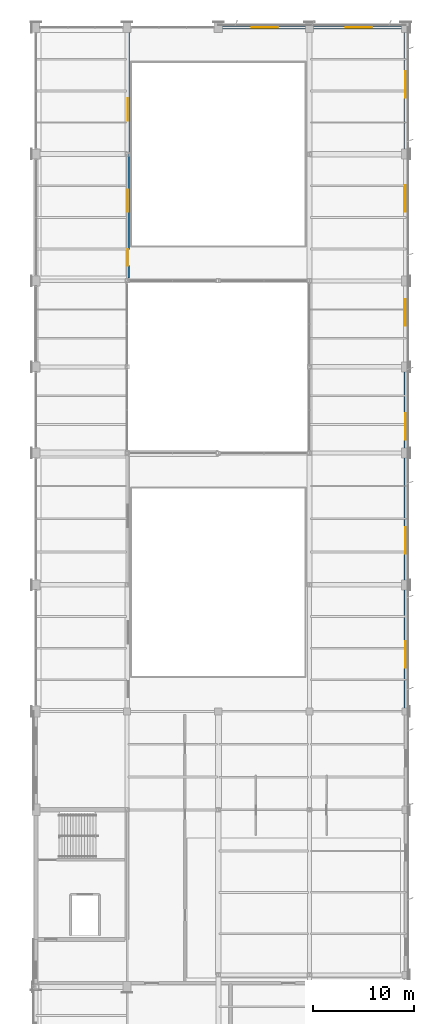
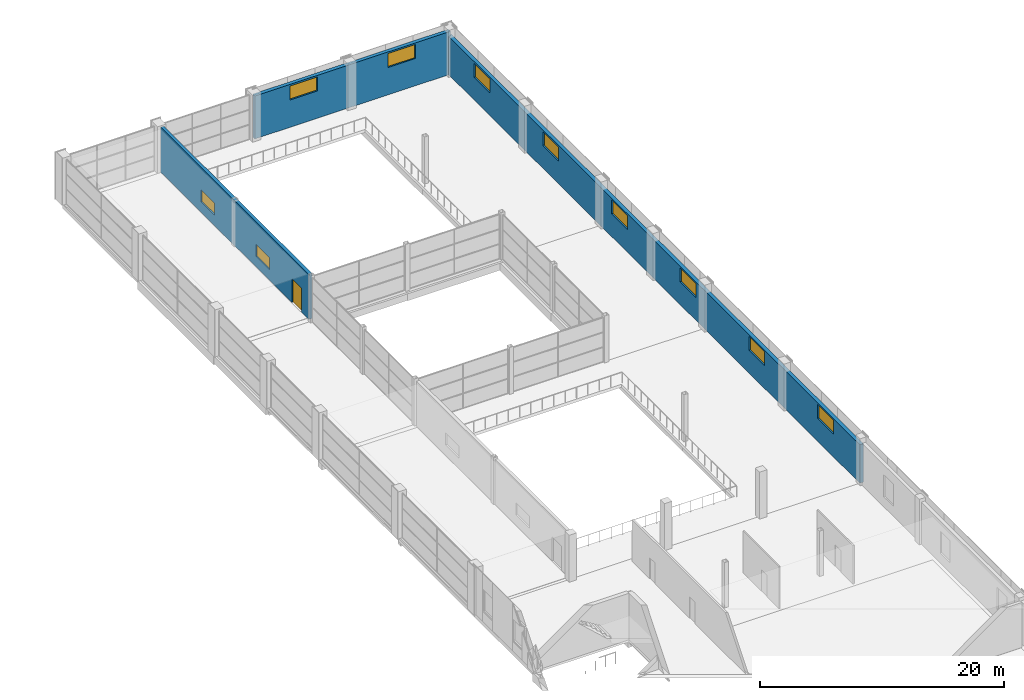
# One storey, part 95 of 112: 10 windows, 3 walls, 1 door, 11 openings.
"""IFC4 building model written with IfcOpenShell, lengths in metres."""

from ifc_helpers import new_model, si_unit, direction, frame, frame_2d, origin, place, context, subcontext, project, spatial, rectangle, extrude, material, layer, layer_set, type_object, element, fill, save


model = new_model("IFC4")

# Units and contexts
model_context = context("Model", 3, precision=1e-05, world=origin(), true_north=direction((0.0, 1.0)))
body_context = subcontext(model_context, "Body", "Model", "MODEL_VIEW")
ifc_project = project(units=[si_unit("LENGTHUNIT", "METRE"), si_unit("AREAUNIT", "SQUARE_METRE"), si_unit("VOLUMEUNIT", "CUBIC_METRE"), si_unit("PLANEANGLEUNIT", "RADIAN"), si_unit("MASSUNIT", "GRAM", prefix="KILO")], contexts=[model_context])

# Site, building, storey
site_placement = place(None, origin())
site = spatial("IfcSite", under=ifc_project, at=site_placement, CompositionType="ELEMENT")
building_placement = place(site_placement, origin())
building = spatial("IfcBuilding", under=site, at=building_placement, Name="Solvikara Media Centre", CompositionType="ELEMENT")
storey_placement = place(building_placement, frame((0.0, 0.0, 5.39990234375)))
storey = spatial("IfcBuildingStorey", under=building, at=storey_placement, Name="L01", CompositionType="ELEMENT", Elevation=5.39990234375)

# Wall, openings, door, windows
ifc_material_1 = material(Name="Concrete fc' 45 MPa (C45/55)", Category="concrete")
ifc_layer_1 = layer(ifc_material_1, 0.300048828125)
ifc_layer_set_1 = layer_set([ifc_layer_1], Name="Concrete fc' 45 MPa (C45/55)")
wall_type_1 = type_object("IfcWallType", Name="WT-05", PredefinedType="STANDARD", material=ifc_layer_set_1)
wall_1_placement = place(storey_placement, frame((136.60009765625, 89.300048828125, 0.0), z_axis=(0.0, 0.0, 1.0), x_axis=(0.0, 1.0, 0.0)))
wall_1 = element("IfcWall", 1, at=wall_1_placement, inside=storey, type_object=wall_type_1, Name="PW-L01-055", PredefinedType="STANDARD", context=body_context, shape_type="SweptSolid", body=[
    extrude(rectangle(XDim=24.300048828125, YDim=0.300048828125, at=frame_2d((12.14990234375, 0.0))), origin(), (0.0, 0.0, 1.0), 4.5),
])
opening_1_placement = place(wall_1_placement, frame((1.199951171875, 0.0, 0.0)))
opening_1 = element("IfcOpeningElement", 2, at=opening_1_placement, cuts=wall_1, Name="Opening D-L01-055-1", PredefinedType="OPENING", context=body_context, shape_type="SweptSolid", body=[
    extrude(rectangle(XDim=1.60009765625, YDim=2.39990234375, at=frame_2d((0.800048828125, 1.199951171875))), frame((0.0, 0.162109375, 0.0), z_axis=(0.0, -1.0, 0.0), x_axis=(1.0, 0.0, 0.0)), (0.0, 0.0, 1.0), 0.323974609375),
])
opening_2_placement = place(wall_1_placement, frame((6.5, 0.0, 1.050048828125)))
opening_2 = element("IfcOpeningElement", 3, at=opening_2_placement, cuts=wall_1, Name="Opening WI-L01-055-1", PredefinedType="OPENING", context=body_context, shape_type="SweptSolid", body=[
    extrude(rectangle(XDim=2.199951171875, YDim=1.199951171875, at=frame_2d((1.10009765625, 0.60009765625))), frame((0.0, 0.162109375, 0.0), z_axis=(0.0, -1.0, 0.0), x_axis=(1.0, 0.0, 0.0)), (0.0, 0.0, 1.0), 0.323974609375),
])
opening_3_placement = place(wall_1_placement, frame((15.5, 0.0, 1.050048828125)))
opening_3 = element("IfcOpeningElement", 4, at=opening_3_placement, cuts=wall_1, Name="Opening WI-L01-055-2", PredefinedType="OPENING", context=body_context, shape_type="SweptSolid", body=[
    extrude(rectangle(XDim=2.199951171875, YDim=1.199951171875, at=frame_2d((1.10009765625, 0.60009765625))), frame((0.0, 0.162109375, 0.0), z_axis=(0.0, -1.0, 0.0), x_axis=(1.0, 0.0, 0.0)), (0.0, 0.0, 1.0), 0.323974609375),
])
ifc_material_2 = material(Name="Solid core acoustic hardwood timber", Category="wood")
door_type = type_object("IfcDoorType", Name="DT-13", OperationType="DOUBLE_DOOR_SINGLE_SWING", PredefinedType="DOOR", material=ifc_material_2)
door_placement = place(opening_1_placement, origin())
door = element("IfcDoor", 5, at=door_placement, inside=storey, type_object=door_type, Name="D-L01-055-1", OperationType="DOUBLE_DOOR_SINGLE_SWING", OverallHeight=2.39990234375, OverallWidth=1.60009765625, PredefinedType="DOOR", context=body_context, shape_type="SweptSolid", body=[
    extrude(rectangle(XDim=1.60009765625, YDim=2.39990234375, at=frame_2d((0.800048828125, 1.199951171875))), frame((0.0, 0.02490234375, 0.0), z_axis=(0.0, -1.0, 0.0), x_axis=(1.0, 0.0, 0.0)), (0.0, 0.0, 1.0), 0.050048828125),
])
fill(opening_1, door)
ifc_material_3 = material(Name="Double-glazed low-E architectural glass", Category="glass")
window_type_1 = type_object("IfcWindowType", Name="WN-13", PartitioningType="SINGLE_PANEL", PredefinedType="WINDOW", material=ifc_material_3)
window_1_placement = place(opening_2_placement, origin())
window_1 = element("IfcWindow", 6, at=window_1_placement, inside=storey, type_object=window_type_1, Name="WI-L01-055-1", OverallHeight=1.199951171875, OverallWidth=2.199951171875, PartitioningType="SINGLE_PANEL", PredefinedType="WINDOW", context=body_context, shape_type="SweptSolid", body=[
    extrude(rectangle(XDim=2.199951171875, YDim=1.199951171875, at=frame_2d((1.10009765625, 0.60009765625))), frame((0.0, 0.030029296875, 0.0), z_axis=(0.0, -1.0, 0.0), x_axis=(1.0, 0.0, 0.0)), (0.0, 0.0, 1.0), 0.06005859375),
])
fill(opening_2, window_1)
window_2_placement = place(opening_3_placement, origin())
window_2 = element("IfcWindow", 7, at=window_2_placement, inside=storey, type_object=window_type_1, Name="WI-L01-055-2", OverallHeight=1.199951171875, OverallWidth=2.199951171875, PartitioningType="SINGLE_PANEL", PredefinedType="WINDOW", context=body_context, shape_type="SweptSolid", body=[
    extrude(rectangle(XDim=2.199951171875, YDim=1.199951171875, at=frame_2d((1.10009765625, 0.60009765625))), frame((0.0, 0.030029296875, 0.0), z_axis=(0.0, -1.0, 0.0), x_axis=(1.0, 0.0, 0.0)), (0.0, 0.0, 1.0), 0.06005859375),
])
fill(opening_3, window_2)

# Wall, openings, windows
ifc_material_4 = material(Name="Precast concrete fc' 40 MPa (C40/50)", Category="concrete")
ifc_layer_2 = layer(ifc_material_4, 0.340087890625)
ifc_layer_set_2 = layer_set([ifc_layer_2], Name="Precast concrete fc' 40 MPa (C40/50)")
wall_type_2 = type_object("IfcWallType", Name="WT-09", PredefinedType="STANDARD", material=ifc_layer_set_2)
wall_2_placement = place(storey_placement, frame((164.0, 46.5, 0.0), z_axis=(0.0, 0.0, 1.0), x_axis=(0.0, 1.0, 0.0)))
wall_2 = element("IfcWall", 8, at=wall_2_placement, inside=storey, type_object=wall_type_2, Name="EW-L01-V2-E", PredefinedType="STANDARD", context=body_context, shape_type="SweptSolid", body=[
    extrude(rectangle(XDim=67.5, YDim=0.340087890625, at=frame_2d((33.75, 0.0))), origin(), (0.0, 0.0, 1.0), 3.840087890625),
])
opening_4_placement = place(wall_2_placement, frame((4.324951171875, 0.0, 2.280029296875)))
opening_4 = element("IfcOpeningElement", 9, at=opening_4_placement, cuts=wall_2, Name="Opening W-L01-V2E-W01", PredefinedType="OPENING", context=body_context, shape_type="SweptSolid", body=[
    extrude(rectangle(XDim=2.60009765625, YDim=1.39990234375, at=frame_2d((1.300048828125, 0.699951171875))), frame((0.0, 0.18212890625, 0.0), z_axis=(0.0, -1.0, 0.0), x_axis=(1.0, 0.0, 0.0)), (0.0, 0.0, 1.0), 0.364013671875),
])
opening_5_placement = place(wall_2_placement, frame((15.574951171875, 0.0, 2.280029296875)))
opening_5 = element("IfcOpeningElement", 10, at=opening_5_placement, cuts=wall_2, Name="Opening W-L01-V2E-W02", PredefinedType="OPENING", context=body_context, shape_type="SweptSolid", body=[
    extrude(rectangle(XDim=2.60009765625, YDim=1.39990234375, at=frame_2d((1.300048828125, 0.699951171875))), frame((0.0, 0.18212890625, 0.0), z_axis=(0.0, -1.0, 0.0), x_axis=(1.0, 0.0, 0.0)), (0.0, 0.0, 1.0), 0.364013671875),
])
opening_6_placement = place(wall_2_placement, frame((26.824951171875, 0.0, 2.280029296875)))
opening_6 = element("IfcOpeningElement", 11, at=opening_6_placement, cuts=wall_2, Name="Opening W-L01-V2E-W03", PredefinedType="OPENING", context=body_context, shape_type="SweptSolid", body=[
    extrude(rectangle(XDim=2.60009765625, YDim=1.39990234375, at=frame_2d((1.300048828125, 0.699951171875))), frame((0.0, 0.18212890625, 0.0), z_axis=(0.0, -1.0, 0.0), x_axis=(1.0, 0.0, 0.0)), (0.0, 0.0, 1.0), 0.364013671875),
])
opening_7_placement = place(wall_2_placement, frame((38.074951171875, 0.0, 2.280029296875)))
opening_7 = element("IfcOpeningElement", 12, at=opening_7_placement, cuts=wall_2, Name="Opening W-L01-V2E-W04", PredefinedType="OPENING", context=body_context, shape_type="SweptSolid", body=[
    extrude(rectangle(XDim=2.60009765625, YDim=1.39990234375, at=frame_2d((1.300048828125, 0.699951171875))), frame((0.0, 0.18212890625, 0.0), z_axis=(0.0, -1.0, 0.0), x_axis=(1.0, 0.0, 0.0)), (0.0, 0.0, 1.0), 0.364013671875),
])
opening_8_placement = place(wall_2_placement, frame((49.324951171875, 0.0, 2.280029296875)))
opening_8 = element("IfcOpeningElement", 13, at=opening_8_placement, cuts=wall_2, Name="Opening W-L01-V2E-W05", PredefinedType="OPENING", context=body_context, shape_type="SweptSolid", body=[
    extrude(rectangle(XDim=2.60009765625, YDim=1.39990234375, at=frame_2d((1.300048828125, 0.699951171875))), frame((0.0, 0.18212890625, 0.0), z_axis=(0.0, -1.0, 0.0), x_axis=(1.0, 0.0, 0.0)), (0.0, 0.0, 1.0), 0.364013671875),
])
opening_9_placement = place(wall_2_placement, frame((60.574951171875, 0.0, 2.280029296875)))
opening_9 = element("IfcOpeningElement", 14, at=opening_9_placement, cuts=wall_2, Name="Opening W-L01-V2E-W06", PredefinedType="OPENING", context=body_context, shape_type="SweptSolid", body=[
    extrude(rectangle(XDim=2.60009765625, YDim=1.39990234375, at=frame_2d((1.300048828125, 0.699951171875))), frame((0.0, 0.18212890625, 0.0), z_axis=(0.0, -1.0, 0.0), x_axis=(1.0, 0.0, 0.0)), (0.0, 0.0, 1.0), 0.364013671875),
])
window_type_2 = type_object("IfcWindowType", Name="WN-09", PartitioningType="SINGLE_PANEL", PredefinedType="WINDOW", material=ifc_material_3)
window_3_placement = place(opening_4_placement, origin())
window_3 = element("IfcWindow", 15, at=window_3_placement, inside=storey, type_object=window_type_2, Name="W-L01-V2E-W01", OverallHeight=1.39990234375, OverallWidth=2.60009765625, PartitioningType="SINGLE_PANEL", PredefinedType="WINDOW", context=body_context, shape_type="SweptSolid", body=[
    extrude(rectangle(XDim=2.60009765625, YDim=1.39990234375, at=frame_2d((1.300048828125, 0.699951171875))), frame((0.0, 0.030029296875, 0.0), z_axis=(0.0, -1.0, 0.0), x_axis=(1.0, 0.0, 0.0)), (0.0, 0.0, 1.0), 0.06005859375),
])
fill(opening_4, window_3)
window_4_placement = place(opening_5_placement, origin())
window_4 = element("IfcWindow", 16, at=window_4_placement, inside=storey, type_object=window_type_2, Name="W-L01-V2E-W02", OverallHeight=1.39990234375, OverallWidth=2.60009765625, PartitioningType="SINGLE_PANEL", PredefinedType="WINDOW", context=body_context, shape_type="SweptSolid", body=[
    extrude(rectangle(XDim=2.60009765625, YDim=1.39990234375, at=frame_2d((1.300048828125, 0.699951171875))), frame((0.0, 0.030029296875, 0.0), z_axis=(0.0, -1.0, 0.0), x_axis=(1.0, 0.0, 0.0)), (0.0, 0.0, 1.0), 0.06005859375),
])
fill(opening_5, window_4)
window_5_placement = place(opening_6_placement, origin())
window_5 = element("IfcWindow", 17, at=window_5_placement, inside=storey, type_object=window_type_2, Name="W-L01-V2E-W03", OverallHeight=1.39990234375, OverallWidth=2.60009765625, PartitioningType="SINGLE_PANEL", PredefinedType="WINDOW", context=body_context, shape_type="SweptSolid", body=[
    extrude(rectangle(XDim=2.60009765625, YDim=1.39990234375, at=frame_2d((1.300048828125, 0.699951171875))), frame((0.0, 0.030029296875, 0.0), z_axis=(0.0, -1.0, 0.0), x_axis=(1.0, 0.0, 0.0)), (0.0, 0.0, 1.0), 0.06005859375),
])
fill(opening_6, window_5)
window_6_placement = place(opening_7_placement, origin())
window_6 = element("IfcWindow", 18, at=window_6_placement, inside=storey, type_object=window_type_2, Name="W-L01-V2E-W04", OverallHeight=1.39990234375, OverallWidth=2.60009765625, PartitioningType="SINGLE_PANEL", PredefinedType="WINDOW", context=body_context, shape_type="SweptSolid", body=[
    extrude(rectangle(XDim=2.60009765625, YDim=1.39990234375, at=frame_2d((1.300048828125, 0.699951171875))), frame((0.0, 0.030029296875, 0.0), z_axis=(0.0, -1.0, 0.0), x_axis=(1.0, 0.0, 0.0)), (0.0, 0.0, 1.0), 0.06005859375),
])
fill(opening_7, window_6)
window_7_placement = place(opening_8_placement, origin())
window_7 = element("IfcWindow", 19, at=window_7_placement, inside=storey, type_object=window_type_2, Name="W-L01-V2E-W05", OverallHeight=1.39990234375, OverallWidth=2.60009765625, PartitioningType="SINGLE_PANEL", PredefinedType="WINDOW", context=body_context, shape_type="SweptSolid", body=[
    extrude(rectangle(XDim=2.60009765625, YDim=1.39990234375, at=frame_2d((1.300048828125, 0.699951171875))), frame((0.0, 0.030029296875, 0.0), z_axis=(0.0, -1.0, 0.0), x_axis=(1.0, 0.0, 0.0)), (0.0, 0.0, 1.0), 0.06005859375),
])
fill(opening_8, window_7)
window_8_placement = place(opening_9_placement, origin())
window_8 = element("IfcWindow", 20, at=window_8_placement, inside=storey, type_object=window_type_2, Name="W-L01-V2E-W06", OverallHeight=1.39990234375, OverallWidth=2.60009765625, PartitioningType="SINGLE_PANEL", PredefinedType="WINDOW", context=body_context, shape_type="SweptSolid", body=[
    extrude(rectangle(XDim=2.60009765625, YDim=1.39990234375, at=frame_2d((1.300048828125, 0.699951171875))), frame((0.0, 0.030029296875, 0.0), z_axis=(0.0, -1.0, 0.0), x_axis=(1.0, 0.0, 0.0)), (0.0, 0.0, 1.0), 0.06005859375),
])
fill(opening_9, window_8)

wall_3_placement = place(storey_placement, frame((145.5, 114.0, 0.0), z_axis=(0.0, 0.0, 1.0), x_axis=(1.0, 0.0, 0.0)))
wall_3 = element("IfcWall", 21, at=wall_3_placement, inside=storey, type_object=wall_type_2, Name="EW-L01-V2-N", PredefinedType="STANDARD", context=body_context, shape_type="SweptSolid", body=[
    extrude(rectangle(XDim=18.5, YDim=0.340087890625, at=frame_2d((9.25, 0.0))), origin(), (0.0, 0.0, 1.0), 4.2900390625),
])
opening_10_placement = place(wall_3_placement, frame((3.324951171875, 0.0, 2.72998046875)))
opening_10 = element("IfcOpeningElement", 22, at=opening_10_placement, cuts=wall_3, Name="Opening W-L01-V2N-W01", PredefinedType="OPENING", context=body_context, shape_type="SweptSolid", body=[
    extrude(rectangle(XDim=2.60009765625, YDim=1.39990234375, at=frame_2d((1.300048828125, 0.699951171875))), frame((0.0, 0.18212890625, 0.0), z_axis=(0.0, -1.0, 0.0), x_axis=(1.0, 0.0, 0.0)), (0.0, 0.0, 1.0), 0.364013671875),
])
opening_11_placement = place(wall_3_placement, frame((12.574951171875, 0.0, 2.72998046875)))
opening_11 = element("IfcOpeningElement", 23, at=opening_11_placement, cuts=wall_3, Name="Opening W-L01-V2N-W02", PredefinedType="OPENING", context=body_context, shape_type="SweptSolid", body=[
    extrude(rectangle(XDim=2.60009765625, YDim=1.39990234375, at=frame_2d((1.300048828125, 0.699951171875))), frame((0.0, 0.18212890625, 0.0), z_axis=(0.0, -1.0, 0.0), x_axis=(1.0, 0.0, 0.0)), (0.0, 0.0, 1.0), 0.364013671875),
])
window_9_placement = place(opening_10_placement, origin())
window_9 = element("IfcWindow", 24, at=window_9_placement, inside=storey, type_object=window_type_2, Name="W-L01-V2N-W01", OverallHeight=1.39990234375, OverallWidth=2.60009765625, PartitioningType="SINGLE_PANEL", PredefinedType="WINDOW", context=body_context, shape_type="SweptSolid", body=[
    extrude(rectangle(XDim=2.60009765625, YDim=1.39990234375, at=frame_2d((1.300048828125, 0.699951171875))), frame((0.0, 0.030029296875, 0.0), z_axis=(0.0, -1.0, 0.0), x_axis=(1.0, 0.0, 0.0)), (0.0, 0.0, 1.0), 0.06005859375),
])
fill(opening_10, window_9)
window_10_placement = place(opening_11_placement, origin())
window_10 = element("IfcWindow", 25, at=window_10_placement, inside=storey, type_object=window_type_2, Name="W-L01-V2N-W02", OverallHeight=1.39990234375, OverallWidth=2.60009765625, PartitioningType="SINGLE_PANEL", PredefinedType="WINDOW", context=body_context, shape_type="SweptSolid", body=[
    extrude(rectangle(XDim=2.60009765625, YDim=1.39990234375, at=frame_2d((1.300048828125, 0.699951171875))), frame((0.0, 0.030029296875, 0.0), z_axis=(0.0, -1.0, 0.0), x_axis=(1.0, 0.0, 0.0)), (0.0, 0.0, 1.0), 0.06005859375),
])
fill(opening_11, window_10)

save(model, "model.ifc")
